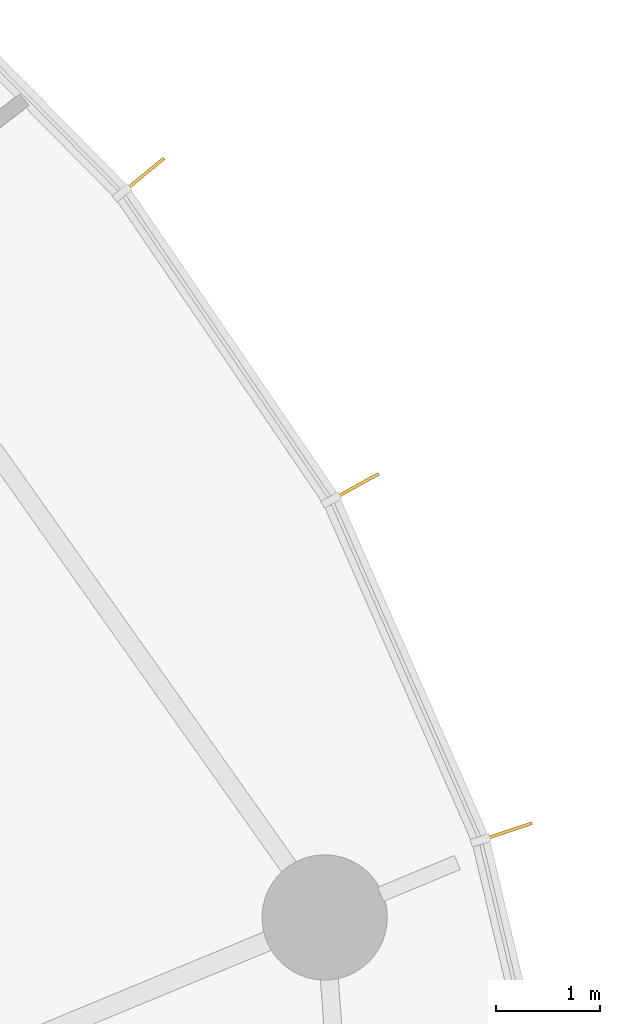
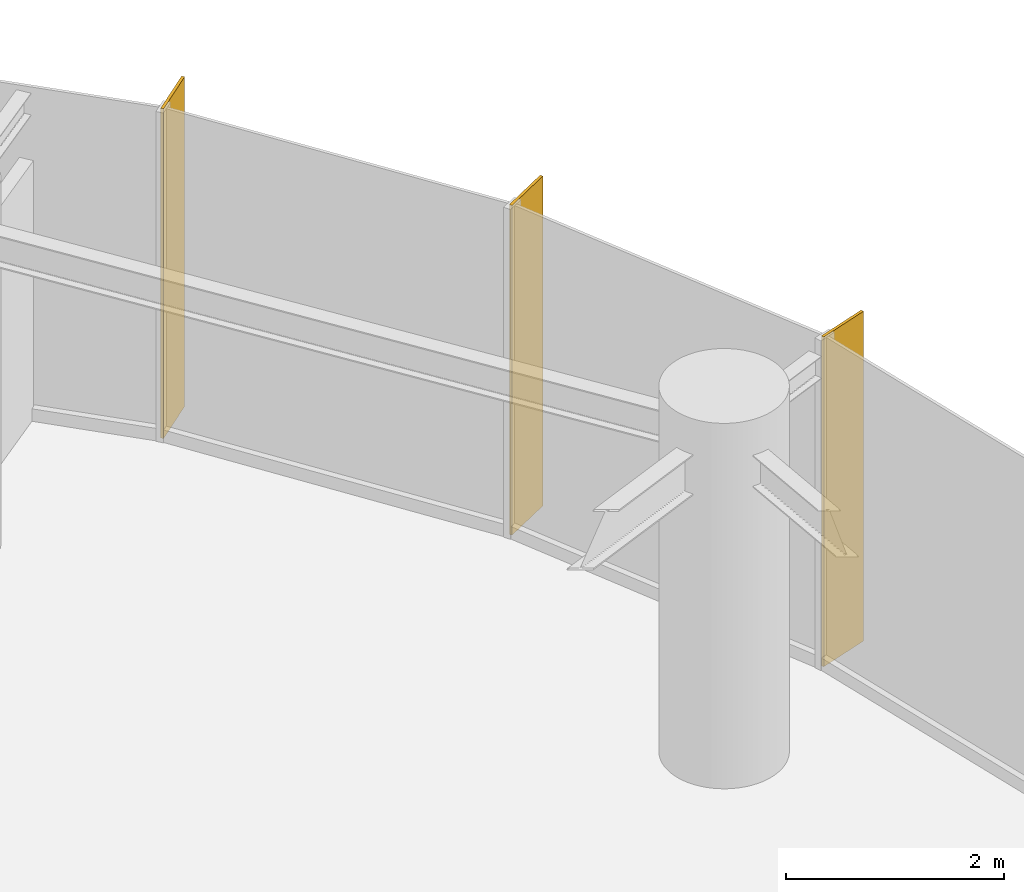
# One storey, part 18 of 18: 3 shading devices.
"""IFC4 building model written with IfcOpenShell, lengths in metres."""

from ifc_helpers import new_model, si_unit, direction, frame, origin, origin_2d, place, context, subcontext, project, spatial, rectangle, extrude, source, transform, mapped, material, material_profile, profile_set, type_object, element, save


model = new_model("IFC4")

# Units and contexts
model_context = context("Model", 3, precision=1e-05, world=origin(), true_north=direction((0.0, 1.0)))
body_context = subcontext(model_context, "Body", "Model", "MODEL_VIEW")
ifc_project = project(units=[si_unit("LENGTHUNIT", "METRE"), si_unit("AREAUNIT", "SQUARE_METRE"), si_unit("VOLUMEUNIT", "CUBIC_METRE"), si_unit("PLANEANGLEUNIT", "RADIAN"), si_unit("MASSUNIT", "GRAM", prefix="KILO")], contexts=[model_context])

# Site, building, storey
site_placement = place(None, origin())
site = spatial("IfcSite", under=ifc_project, at=site_placement, CompositionType="ELEMENT")
building_placement = place(site_placement, origin())
building = spatial("IfcBuilding", under=site, at=building_placement, Name="Spindrift Exchange Tower", CompositionType="ELEMENT")
storey_placement = place(building_placement, frame((0.0, 0.0, 116.699951171875)))
storey = spatial("IfcBuildingStorey", under=building, at=storey_placement, Name="L27", CompositionType="ELEMENT", Elevation=116.699951171875)

# Shading devices
ifc_material = material(Name="Bronze anodised aluminium", Category="aluminium")
ifc_material_profile = material_profile(ifc_material, rectangle(XDim=0.030029296875, YDim=0.550048828125, at=origin_2d()), Name="WIND FIN 30X550")
ifc_profile_set = profile_set([ifc_material_profile], Name="Bronze anodised aluminium")
shading_device_type = type_object("IfcShadingDeviceType", Name="WIND FIN 30X550", PredefinedType="USERDEFINED", material=ifc_profile_set)
shared_shape = source(origin(), body_context, "Body", "SweptSolid", [
    extrude(rectangle(XDim=0.030029296875, YDim=0.550048828125, at=origin_2d()), origin(), (0.0, 0.0, 1.0), 3.699951171875),
])
for number, where, z_axis, x_axis, name in (
    (1, (80.733154296875, 63.906982421875, 0.0), (0.0, 0.0, 1.0), (-0.484343969273, 0.874877659692, 0.0), "L27 wind fin 2"),
    (2, (78.703125, 66.888671875, 0.0), (0.0, 0.0, 1.0), (-0.635073014146, 0.772452112887, 0.0), "L27 wind fin 3"),
    (3, (82.1826171875, 60.603515625, 0.0), (0.0, 0.0, 1.0), (-0.317516506023, 0.948252745001, 0.0), "L27 wind fin 4"),
):
    element("IfcShadingDevice", number, at=place(storey_placement, frame(where, z_axis=z_axis, x_axis=x_axis)), inside=storey, type_object=shading_device_type, Name=name, ObjectType="FIN", PredefinedType="USERDEFINED", context=body_context, shape_type="MappedRepresentation", body=[
        mapped(shared_shape, transform((0.0, 0.0, 0.0), scale=1.0)),
    ])

save(model, "model.ifc")
